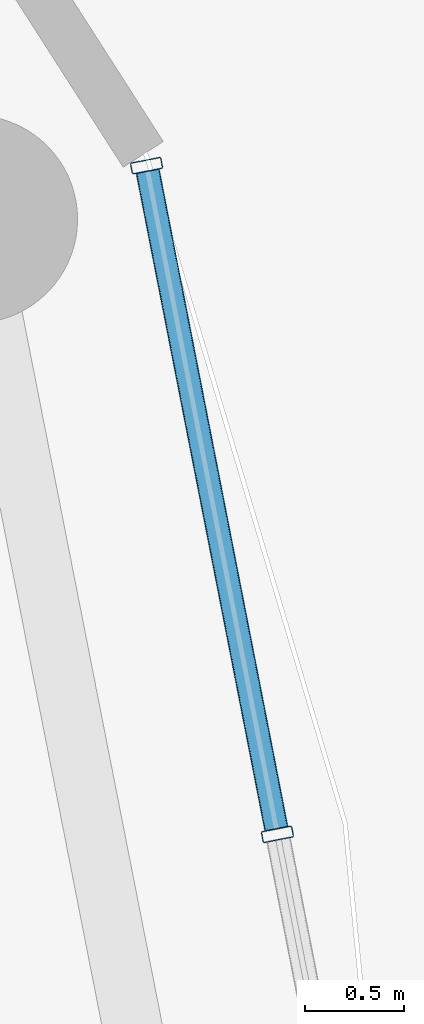
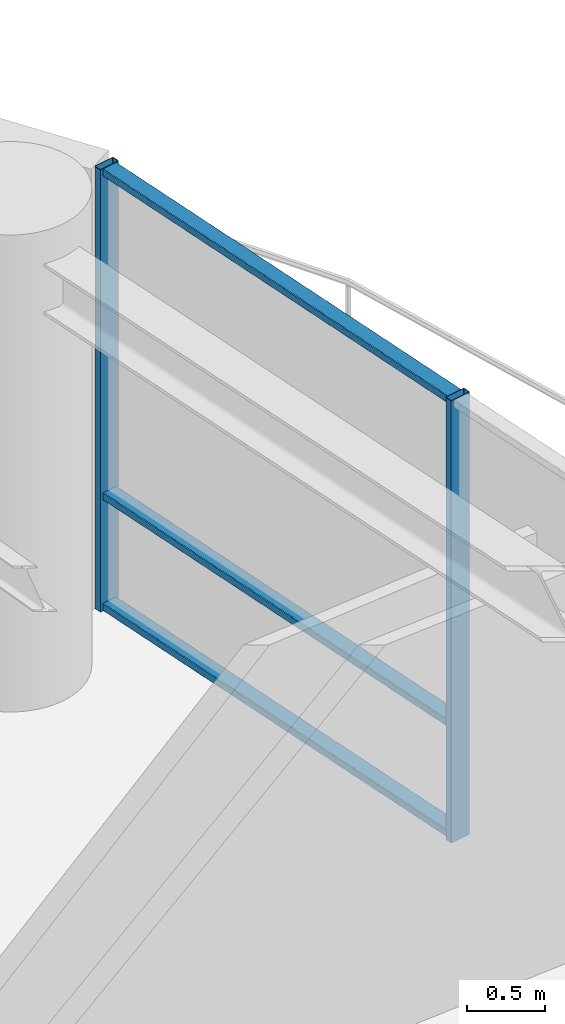
# One storey, part 15 of 30: 5 members, 1 element without a shape of its own.
"""IFC4 building model written with IfcOpenShell, lengths in metres."""

import ifcopenshell
import ifcopenshell.guid

model = None  # the IFC model being written
_history = None  # IfcOwnerHistory: only IFC2X3 demands one
_inside = {}  # id of a spatial element -> (the spatial element, [elements in it])
_under = {}  # id of a project, library or spatial element -> (it, [spatial elements below it])
_declared = {}  # id of a project -> (the project, [libraries it declares])
_typed = {}  # id of a type object -> (the type object, [elements of that type])
_made_of = {}  # id of a material, layer set ... -> (it, [elements and type objects made of it])


def new_model(schema):
    """Start an empty IFC model of exactly this schema.

    Asked for "IFC4X3", IfcOpenShell would pick the latest addendum, in which some entities
    have other attributes; the version numbers below select the first issue.
    IFC2X3 requires an IfcOwnerHistory on every rooted entity: one is made here for all.
    """
    global model, _history
    if schema == "IFC4X3":
        model = ifcopenshell.file(schema_version=(4, 3, 0, 0))
    else:
        model = ifcopenshell.file(schema=schema)
    _inside.clear()
    _under.clear()
    _declared.clear()
    _typed.clear()
    _made_of.clear()
    _history = None
    if model.schema == "IFC2X3":
        org = make("IfcOrganization", Name="unknown")
        user = make(
            "IfcPersonAndOrganization",
            ThePerson=make("IfcPerson", FamilyName="unknown"),
            TheOrganization=org,
        )
        app = make(
            "IfcApplication",
            ApplicationDeveloper=org,
            Version="unknown",
            ApplicationFullName="unknown",
            ApplicationIdentifier="unknown",
        )
        _history = make(
            "IfcOwnerHistory",
            OwningUser=user,
            OwningApplication=app,
            ChangeAction="ADDED",
            CreationDate=0,
        )
    return model


def make(cls, **values):
    """One entity of the class cls with the attributes given. An attribute that is None is left unset."""
    return model.create_entity(
        cls, **{name: value for name, value in values.items() if value is not None}
    )


def rooted(cls, **values):
    """An entity with a GlobalId (a new one), such as an element, a storey or a relation."""
    return make(cls, GlobalId=ifcopenshell.guid.new(), OwnerHistory=_history, **values)


def si_unit(unit_type, name, prefix=None):
    """IfcSIUnit, for example si_unit("LENGTHUNIT", "METRE", prefix="MILLI")."""
    return make("IfcSIUnit", UnitType=unit_type, Prefix=prefix, Name=name)


def assignment(units):
    """IfcUnitAssignment: the units of a project."""
    return None if units is None else make("IfcUnitAssignment", Units=units)


def point(xyz):
    """IfcCartesianPoint."""
    return None if xyz is None else make("IfcCartesianPoint", Coordinates=xyz)


def direction(xyz):
    """IfcDirection."""
    return None if xyz is None else make("IfcDirection", DirectionRatios=xyz)


def frame(location, z_axis=None, x_axis=None):
    """IfcAxis2Placement3D, a coordinate frame: its origin and axes. An axis left out is left unset."""
    return make(
        "IfcAxis2Placement3D",
        Location=point(location),
        Axis=direction(z_axis),
        RefDirection=direction(x_axis),
    )


def frame_2d(location, x_axis=None):
    """IfcAxis2Placement2D, a coordinate frame in the plane: its origin and x axis."""
    return make(
        "IfcAxis2Placement2D", Location=point(location), RefDirection=direction(x_axis)
    )


def origin():
    """The frame at (0, 0, 0) with its axes left unset."""
    return frame((0.0, 0.0, 0.0))


def origin_2d():
    """The frame at (0, 0) in the plane with its x axis left unset."""
    return frame_2d((0.0, 0.0))


def place(relative_to, where):
    """IfcLocalPlacement: puts the frame where relative to a parent placement (None: the world)."""
    return make(
        "IfcLocalPlacement", PlacementRelTo=relative_to, RelativePlacement=where
    )


def context(
    kind, dimensions, precision=None, world=None, true_north=None, identifier=None
):
    """IfcGeometricRepresentationContext, for example the 3D "Model" context."""
    return make(
        "IfcGeometricRepresentationContext",
        ContextIdentifier=identifier,
        ContextType=kind,
        CoordinateSpaceDimension=dimensions,
        Precision=precision,
        WorldCoordinateSystem=world,
        TrueNorth=true_north,
    )


def subcontext(parent, identifier, kind, view, scale=None):
    """IfcGeometricRepresentationSubContext, for example "Body" below "Model"."""
    return make(
        "IfcGeometricRepresentationSubContext",
        ContextIdentifier=identifier,
        ContextType=kind,
        ParentContext=parent,
        TargetScale=scale,
        TargetView=view,
    )


def project(units=None, contexts=None):
    """IfcProject with its units and contexts."""
    return rooted(
        "IfcProject",
        Name="project",
        RepresentationContexts=contexts,
        UnitsInContext=assignment(units),
    )


def spatial(cls, under=None, at=None, **own):
    """A site, building, storey or space (cls), placed at a placement, below another one or the project."""
    s = rooted(cls, ObjectPlacement=at, **own)
    if under is not None:
        _under.setdefault(under.id(), (under, []))[1].append(s)
    return s


def profile(cls, at=None, kind="AREA", **sizes):
    """A parametric profile (cls). Its sizes go by their IFC names, for example OverallWidth=200.0."""
    return make(cls, ProfileType=kind, Position=at, **sizes)


def hollow_rectangle(**sizes):
    """IfcRectangleHollowProfileDef."""
    return profile("IfcRectangleHollowProfileDef", **sizes)


def extrude(swept, where, along, depth):
    """IfcExtrudedAreaSolid: the profile swept, set in the frame where, extruded along a direction by depth."""
    return make(
        "IfcExtrudedAreaSolid",
        SweptArea=swept,
        Position=where,
        ExtrudedDirection=direction(along),
        Depth=depth,
    )


def shape(context_of_items, identifier, shape_type, items):
    """IfcShapeRepresentation: the items that make up one representation, for example the "Body"."""
    return make(
        "IfcShapeRepresentation",
        ContextOfItems=context_of_items,
        RepresentationIdentifier=identifier,
        RepresentationType=shape_type,
        Items=items,
    )


def material(Name=None, Category=None):
    """IfcMaterial."""
    return make("IfcMaterial", Name=Name, Category=Category)


def layer(
    of_material, thickness, ventilated=None, Name=None, Category=None, Priority=None
):
    """IfcMaterialLayer: one layer of a wall or slab, of a material (None: an air gap)."""
    return make(
        "IfcMaterialLayer",
        Material=of_material,
        LayerThickness=thickness,
        IsVentilated=ventilated,
        Name=Name,
        Category=Category,
        Priority=Priority,
    )


def layer_set(layers, Name=None):
    """IfcMaterialLayerSet."""
    return make("IfcMaterialLayerSet", MaterialLayers=layers, LayerSetName=Name)


def material_profile(
    of_material, cross_section, Name=None, Category=None, Priority=None
):
    """IfcMaterialProfile: a cross section and its material."""
    return make(
        "IfcMaterialProfile",
        Name=Name,
        Material=of_material,
        Profile=cross_section,
        Priority=Priority,
        Category=Category,
    )


def profile_set(profiles, Name=None, composite=None):
    """IfcMaterialProfileSet."""
    return make(
        "IfcMaterialProfileSet",
        Name=Name,
        MaterialProfiles=profiles,
        CompositeProfile=composite,
    )


def made_of(thing, what):
    """Note that an element or type object is made of a material, layer set ...; save() writes the relation."""
    if what is not None:
        _made_of.setdefault(what.id(), (what, []))[1].append(thing)
    return thing


def type_object(cls, material=None, **own):
    """A type object (cls), such as IfcWallType, which elements share."""
    return made_of(rooted(cls, **own), material)


def element(
    cls,
    number,
    at=None,
    inside=None,
    cuts=None,
    type_object=None,
    material=None,
    context=None,
    identifier="Body",
    shape_type=None,
    held_by="IfcProductDefinitionShape",
    body=None,
    shapes=None,
    **own,
):
    """One element of the class cls, such as IfcWall. Its Tag is "e" and its number.

    at: its placement. inside: the storey or other place that contains it. cuts: it is an
    opening in that element (IfcRelVoidsElement). A single representation is given by context,
    identifier, shape_type and body (its items); several are given by shapes. held_by: the class
    of the entity that holds the representations. save() writes the other relations.
    """
    e = rooted(cls, Tag="e%d" % number, ObjectPlacement=at, **own)
    if body is not None:
        shapes = [shape(context, identifier, shape_type, body)]
    if shapes is not None:
        e.Representation = make(held_by, Representations=shapes)
    if inside is not None:
        _inside.setdefault(inside.id(), (inside, []))[1].append(e)
    if cuts is not None:
        rooted(
            "IfcRelVoidsElement", RelatingBuildingElement=cuts, RelatedOpeningElement=e
        )
    if type_object is not None:
        _typed.setdefault(type_object.id(), (type_object, []))[1].append(e)
    return made_of(e, material)


def aggregate(whole, parts):
    """IfcRelAggregates: a whole, such as a stair, and the parts it consists of."""
    return rooted("IfcRelAggregates", RelatingObject=whole, RelatedObjects=parts)


def save(model, path):
    """Write the relations noted so far, then the file.

    IfcRelAggregates (storeys below a building ...), IfcRelContainedInSpatialStructure (elements
    in a storey), IfcRelDefinesByType, IfcRelAssociatesMaterial and IfcRelDeclares: one each for
    every whole, place, type object, material and project.
    """
    for whole, parts in _under.values():
        aggregate(whole, parts)
    for where, things in _inside.values():
        rooted(
            "IfcRelContainedInSpatialStructure",
            RelatedElements=things,
            RelatingStructure=where,
        )
    for kind, things in _typed.values():
        rooted("IfcRelDefinesByType", RelatedObjects=things, RelatingType=kind)
    for what, things in _made_of.values():
        rooted("IfcRelAssociatesMaterial", RelatedObjects=things, RelatingMaterial=what)
    for by, libraries in _declared.values():
        rooted("IfcRelDeclares", RelatingContext=by, RelatedDefinitions=libraries)
    model.write(path)


model = new_model("IFC4")

# Units and contexts
model_context = context("Model", 3, precision=1e-05, world=origin(), true_north=direction((0.0, 1.0)))
body_context = subcontext(model_context, "Body", "Model", "MODEL_VIEW")
ifc_project = project(units=[si_unit("LENGTHUNIT", "METRE"), si_unit("AREAUNIT", "SQUARE_METRE"), si_unit("VOLUMEUNIT", "CUBIC_METRE"), si_unit("PLANEANGLEUNIT", "RADIAN"), si_unit("MASSUNIT", "GRAM", prefix="KILO")], contexts=[model_context])

# Site, building, storey
site_placement = place(None, origin())
site = spatial("IfcSite", under=ifc_project, at=site_placement, CompositionType="ELEMENT")
building_placement = place(site_placement, origin())
building = spatial("IfcBuilding", under=site, at=building_placement, Name="Kelanora Arch Commons", CompositionType="ELEMENT")
storey_placement = place(building_placement, frame((0.0, 0.0, 234.449951171875)))
storey = spatial("IfcBuildingStorey", under=building, at=storey_placement, Name="L60", CompositionType="ELEMENT", Elevation=234.449951171875)

# Curtain wall, members
ifc_material_1 = material(Name="Terracotta ceramic-fritted low-E glass and aluminium", Category="masonry")
ifc_layer = layer(ifc_material_1, 0.175048828125)
ifc_layer_set = layer_set([ifc_layer], Name="Terracotta ceramic-fritted low-E glass and aluminium")
curtain_wall_type = type_object("IfcCurtainWallType", Name="CW-SYS-02", PredefinedType="NOTDEFINED", material=ifc_layer_set)
curtain_wall_placement = place(storey_placement, origin())
curtain_wall = element("IfcCurtainWall", 1, at=curtain_wall_placement, inside=storey, type_object=curtain_wall_type, Name="Unitised Curtain Wall L60-B00", PredefinedType="NOTDEFINED")
ifc_material_2 = material(Name="Powder-coated aluminium terracotta", Category="masonry")
ifc_material_profile_1 = material_profile(ifc_material_2, hollow_rectangle(XDim=0.159912109375, YDim=0.06005859375, WallThickness=0.0048828125, InnerFilletRadius=0.0048828125, OuterFilletRadius=0.010009765625, at=origin_2d()), Name="CWM160x60")
ifc_profile_set_1 = profile_set([ifc_material_profile_1], Name="Powder-coated aluminium terracotta")
member_type_1 = type_object("IfcMemberType", Name="CWM-STD", PredefinedType="MULLION", material=ifc_profile_set_1)
member_1_placement = place(storey_placement, frame((95.530517578125, 61.420166015625, 0.0), z_axis=(0.0, 0.0, 1.0), x_axis=(-0.981381438349, -0.192068926335, 0.0)))
member_1 = element("IfcMember", 2, at=member_1_placement, type_object=member_type_1, Name="CW-02 mullion 2", PredefinedType="MULLION", context=body_context, shape_type="SweptSolid", body=[
    extrude(hollow_rectangle(XDim=0.159912109375, YDim=0.06005859375, WallThickness=0.0048828125, InnerFilletRadius=0.0048828125, OuterFilletRadius=0.010009765625, at=origin_2d()), origin(), (0.0, 0.0, 1.0), 3.47509765625),
])
member_2_placement = place(storey_placement, frame((94.869873046875, 64.796142578125, 0.0), z_axis=(0.0, 0.0, 1.0), x_axis=(-0.981381438349, -0.192068926335, 0.0)))
member_2 = element("IfcMember", 3, at=member_2_placement, type_object=member_type_1, Name="CW-02 mullion 3", PredefinedType="MULLION", context=body_context, shape_type="SweptSolid", body=[
    extrude(hollow_rectangle(XDim=0.159912109375, YDim=0.06005859375, WallThickness=0.0048828125, InnerFilletRadius=0.0048828125, OuterFilletRadius=0.010009765625, at=origin_2d()), origin(), (0.0, 0.0, 1.0), 3.47509765625),
])
ifc_material_profile_2 = material_profile(ifc_material_2, hollow_rectangle(XDim=0.1201171875, YDim=0.06005859375, WallThickness=0.0048828125, InnerFilletRadius=0.0048828125, OuterFilletRadius=0.010009765625, at=origin_2d()), Name="CWT120x60")
ifc_profile_set_2 = profile_set([ifc_material_profile_2], Name="Powder-coated aluminium terracotta")
member_type_2 = type_object("IfcMemberType", Name="CWT-STD", PredefinedType="USERDEFINED", material=ifc_profile_set_2)
member_3_placement = place(storey_placement, frame((95.52490234375, 61.44970703125, 0.030029296875), z_axis=(-0.192058488005, 0.981383481207, 0.0), x_axis=(-0.981383481207, -0.192058488005, 0.0)))
member_3 = element("IfcMember", 4, at=member_3_placement, type_object=member_type_2, Name="CW-02 transom 2.1", ObjectType="TRANSOM", PredefinedType="USERDEFINED", context=body_context, shape_type="SweptSolid", body=[
    extrude(hollow_rectangle(XDim=0.1201171875, YDim=0.06005859375, WallThickness=0.0048828125, InnerFilletRadius=0.0048828125, OuterFilletRadius=0.010009765625, at=origin_2d()), origin(), (0.0, 0.0, 1.0), 3.380126953125),
])
member_4_placement = place(storey_placement, frame((95.52490234375, 61.44970703125, 0.900146484375), z_axis=(-0.192058488005, 0.981383481207, 0.0), x_axis=(-0.981383481207, -0.192058488005, 0.0)))
member_4 = element("IfcMember", 5, at=member_4_placement, type_object=member_type_2, Name="CW-02 transom 2.2", ObjectType="TRANSOM", PredefinedType="USERDEFINED", context=body_context, shape_type="SweptSolid", body=[
    extrude(hollow_rectangle(XDim=0.1201171875, YDim=0.06005859375, WallThickness=0.0048828125, InnerFilletRadius=0.0048828125, OuterFilletRadius=0.010009765625, at=origin_2d()), origin(), (0.0, 0.0, 1.0), 3.380126953125),
])
member_5_placement = place(storey_placement, frame((95.52490234375, 61.44970703125, 3.445068359375), z_axis=(-0.192058488005, 0.981383481207, 0.0), x_axis=(-0.981383481207, -0.192058488005, 0.0)))
member_5 = element("IfcMember", 6, at=member_5_placement, type_object=member_type_2, Name="CW-02 transom 2.3", ObjectType="TRANSOM", PredefinedType="USERDEFINED", context=body_context, shape_type="SweptSolid", body=[
    extrude(hollow_rectangle(XDim=0.1201171875, YDim=0.06005859375, WallThickness=0.0048828125, InnerFilletRadius=0.0048828125, OuterFilletRadius=0.010009765625, at=origin_2d()), origin(), (0.0, 0.0, 1.0), 3.380126953125),
])
aggregate(curtain_wall, [member_1, member_2, member_3, member_4, member_5])

save(model, "model.ifc")
